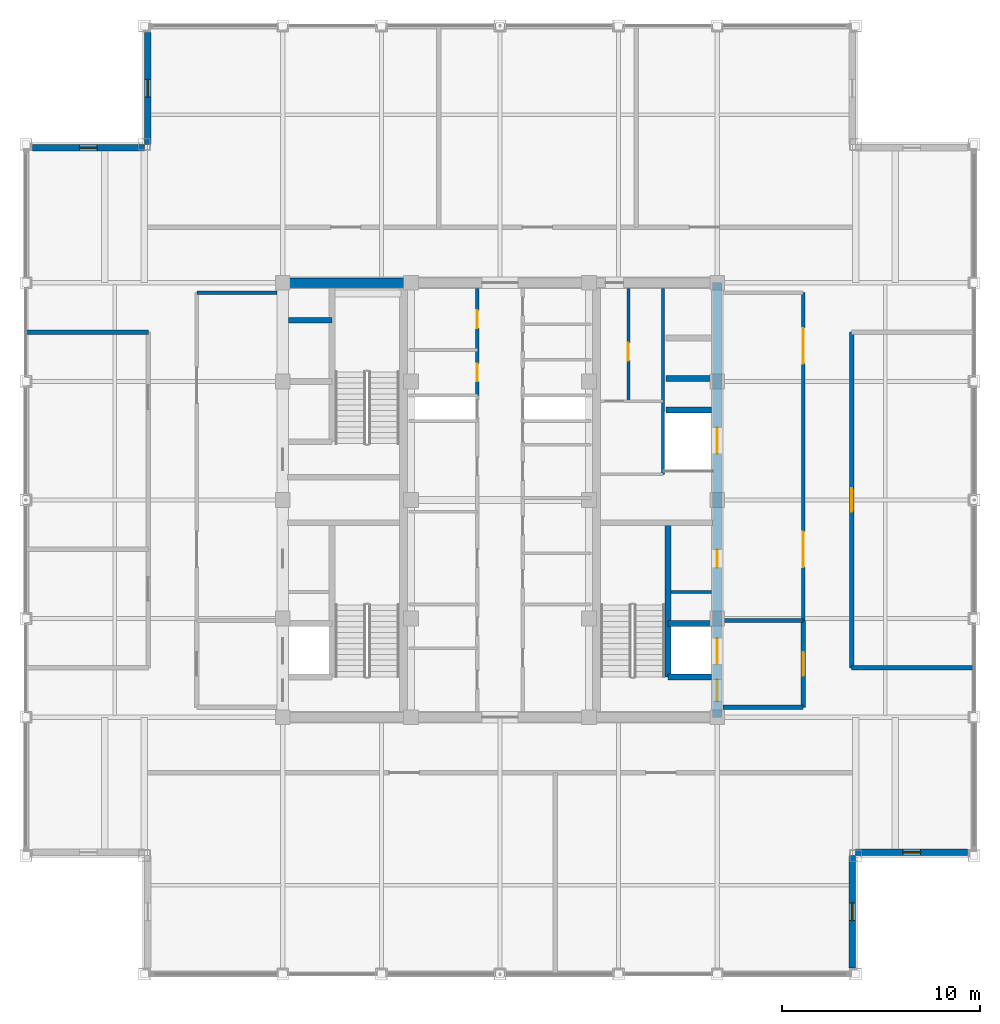
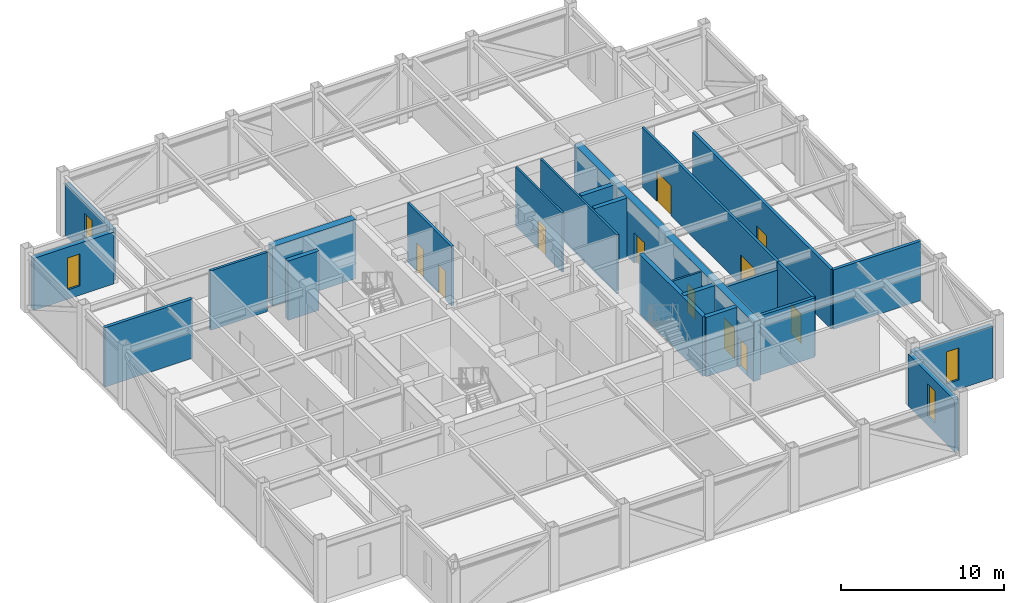
# One storey, part 25 of 27: 24 walls, 11 doors, 4 windows, 15 openings.
"""IFC4 building model written with IfcOpenShell, lengths in metres."""

from ifc_helpers import new_model, si_unit, direction, frame, frame_2d, origin, place, context, subcontext, project, spatial, rectangle, extrude, source, transform, mapped, material, layer, layer_set, type_object, element, fill, save


model = new_model("IFC4")

# Units and contexts
model_context = context("Model", 3, precision=1e-05, world=origin(), true_north=direction((0.0, 1.0)))
body_context = subcontext(model_context, "Body", "Model", "MODEL_VIEW")
ifc_project = project(units=[si_unit("LENGTHUNIT", "METRE"), si_unit("AREAUNIT", "SQUARE_METRE"), si_unit("VOLUMEUNIT", "CUBIC_METRE"), si_unit("PLANEANGLEUNIT", "RADIAN"), si_unit("MASSUNIT", "GRAM", prefix="KILO")], contexts=[model_context])

# Site, building, storey
site_placement = place(None, origin())
site = spatial("IfcSite", under=ifc_project, at=site_placement, CompositionType="ELEMENT")
building_placement = place(site_placement, origin())
building = spatial("IfcBuilding", under=site, at=building_placement, Name="Khorayat Bourse Tower", CompositionType="ELEMENT")
storey_placement = place(building_placement, frame((0.0, 0.0, 389.89990234375)))
storey = spatial("IfcBuildingStorey", under=building, at=storey_placement, Name="L92", CompositionType="ELEMENT", Elevation=389.89990234375)

# Wall, openings, doors
ifc_material_1 = material(Name="Concrete C52/65", Category="concrete")
ifc_layer_1 = layer(ifc_material_1, 0.5)
ifc_layer_set_1 = layer_set([ifc_layer_1], Name="Concrete C52/65")
wall_type_1 = type_object("IfcWallType", Name="WAL-CORE-500", PredefinedType="SHEAR", material=ifc_layer_set_1)
shared_shape_1 = source(origin(), body_context, "Body", "SweptSolid", [
    extrude(rectangle(XDim=22.0, YDim=0.5, at=frame_2d((11.0, 0.0))), origin(), (0.0, 0.0, 1.0), 4.4501953125),
])
wall_1_placement = place(storey_placement, frame((11.0, -11.0, 0.0), z_axis=(0.0, 0.0, 1.0), x_axis=(0.0, 1.0, 0.0)))
wall_1 = element("IfcWall", 1, at=wall_1_placement, inside=storey, type_object=wall_type_1, Name="L92 Core Shear Wall CORE-E", PredefinedType="SHEAR", context=body_context, shape_type="MappedRepresentation", body=[
    mapped(shared_shape_1, transform((0.0, 0.0, 0.0), scale=1.0)),
])
shared_shape_2 = source(origin(), body_context, "Body", "SweptSolid", [
    extrude(rectangle(XDim=1.10009765625, YDim=2.199951171875, at=frame_2d((0.550048828125, 1.10009765625))), frame((0.0, 0.260009765625, 0.0), z_axis=(0.0, -1.0, 0.0), x_axis=(1.0, 0.0, 0.0)), (0.0, 0.0, 1.0), 0.52001953125),
])
opening_1_placement = place(wall_1_placement, frame((0.800048828125, 0.0, 0.0)))
opening_1 = element("IfcOpeningElement", 2, at=opening_1_placement, cuts=wall_1, Name="Opening DI-01", PredefinedType="OPENING", context=body_context, shape_type="MappedRepresentation", body=[
    mapped(shared_shape_2, transform((0.0, 0.0, 0.0), scale=1.0)),
])
shared_shape_3 = source(origin(), body_context, "Body", "SweptSolid", [
    extrude(rectangle(XDim=0.89990234375, YDim=2.14990234375, at=frame_2d((0.449951171875, 1.074951171875))), frame((0.0, 0.260009765625, 0.0), z_axis=(0.0, -1.0, 0.0), x_axis=(1.0, 0.0, 0.0)), (0.0, 0.0, 1.0), 0.52001953125),
])
opening_2_placement = place(wall_1_placement, frame((7.574951171875, 0.0, 0.0)))
opening_2 = element("IfcOpeningElement", 3, at=opening_2_placement, cuts=wall_1, Name="Opening DI-06", PredefinedType="OPENING", context=body_context, shape_type="MappedRepresentation", body=[
    mapped(shared_shape_3, transform((0.0, 0.0, 0.0), scale=1.0)),
])
shared_shape_4 = source(origin(), body_context, "Body", "SweptSolid", [
    extrude(rectangle(XDim=1.300048828125, YDim=2.300048828125, at=frame_2d((0.64990234375, 1.14990234375))), frame((0.0, 0.260009765625, 0.0), z_axis=(0.0, -1.0, 0.0), x_axis=(1.0, 0.0, 0.0)), (0.0, 0.0, 1.0), 0.52001953125),
])
opening_3_placement = place(wall_1_placement, frame((2.699951171875, 0.0, 0.0)))
opening_3 = element("IfcOpeningElement", 4, at=opening_3_placement, cuts=wall_1, Name="Opening LD-02", PredefinedType="OPENING", context=body_context, shape_type="MappedRepresentation", body=[
    mapped(shared_shape_4, transform((0.0, 0.0, 0.0), scale=1.0)),
])
opening_4_placement = place(wall_1_placement, frame((13.35009765625, 0.0, 0.0)))
opening_4 = element("IfcOpeningElement", 5, at=opening_4_placement, cuts=wall_1, Name="Opening LD-02", PredefinedType="OPENING", context=body_context, shape_type="MappedRepresentation", body=[
    mapped(shared_shape_4, transform((0.0, 0.0, 0.0), scale=1.0)),
])
ifc_material_2 = material(Name="Fire-rated steel acoustic leaf", Category="steel")
door_type_1 = type_object("IfcDoorType", Name="DR-INT-STAIR-1100", OperationType="NOTDEFINED", PredefinedType="DOOR", material=ifc_material_2)
shared_shape_5 = source(origin(), body_context, "Body", "SweptSolid", [
    extrude(rectangle(XDim=1.10009765625, YDim=2.199951171875, at=frame_2d((0.550048828125, 1.10009765625))), frame((0.0, 0.02490234375, 0.0), z_axis=(0.0, -1.0, 0.0), x_axis=(1.0, 0.0, 0.0)), (0.0, 0.0, 1.0), 0.050048828125),
])
door_1_placement = place(opening_1_placement, origin())
door_1 = element("IfcDoor", 6, at=door_1_placement, inside=storey, type_object=door_type_1, Name="L92 Exit Stair 3 Door", OperationType="SINGLE_SWING_LEFT", OverallHeight=2.199951171875, OverallWidth=1.10009765625, PredefinedType="DOOR", context=body_context, shape_type="MappedRepresentation", body=[
    mapped(shared_shape_5, transform((0.0, 0.0, 0.0), scale=1.0)),
])
fill(opening_1, door_1)
ifc_material_3 = material(Name="Moisture-resistant laminate washroom door")
door_type_2 = type_object("IfcDoorType", Name="DR-INT-WC-900", OperationType="NOTDEFINED", PredefinedType="DOOR", material=ifc_material_3)
shared_shape_6 = source(origin(), body_context, "Body", "SweptSolid", [
    extrude(rectangle(XDim=0.89990234375, YDim=2.14990234375, at=frame_2d((0.449951171875, 1.074951171875))), frame((0.0, 0.02490234375, 0.0), z_axis=(0.0, -1.0, 0.0), x_axis=(1.0, 0.0, 0.0)), (0.0, 0.0, 1.0), 0.050048828125),
])
door_2_placement = place(opening_2_placement, origin())
door_2 = element("IfcDoor", 7, at=door_2_placement, inside=storey, type_object=door_type_2, Name="L92 Fiber Server Plant Room Door", OperationType="SINGLE_SWING_LEFT", OverallHeight=2.14990234375, OverallWidth=0.89990234375, PredefinedType="DOOR", context=body_context, shape_type="MappedRepresentation", body=[
    mapped(shared_shape_6, transform((0.0, 0.0, 0.0), scale=1.0)),
])
fill(opening_2, door_2)
ifc_material_4 = material(Name="Fire-rated stainless-steel sliding landing door", Category="steel")
door_type_3 = type_object("IfcDoorType", Name="DR-LIFT-FF-1300", OperationType="NOTDEFINED", PredefinedType="DOOR", material=ifc_material_4)
shared_shape_7 = source(origin(), body_context, "Body", "SweptSolid", [
    extrude(rectangle(XDim=1.300048828125, YDim=2.300048828125, at=frame_2d((0.64990234375, 1.14990234375))), frame((0.0, 0.02490234375, 0.0), z_axis=(0.0, -1.0, 0.0), x_axis=(1.0, 0.0, 0.0)), (0.0, 0.0, 1.0), 0.050048828125),
])
door_3_placement = place(opening_3_placement, origin())
door_3 = element("IfcDoor", 8, at=door_3_placement, inside=storey, type_object=door_type_3, Name="L92 Lift FFL-02 Sliding Landing Door", OperationType="SLIDING_TO_LEFT", OverallHeight=2.300048828125, OverallWidth=1.300048828125, PredefinedType="DOOR", context=body_context, shape_type="MappedRepresentation", body=[
    mapped(shared_shape_7, transform((0.0, 0.0, 0.0), scale=1.0)),
])
fill(opening_3, door_3)
door_4_placement = place(opening_4_placement, origin())
door_4 = element("IfcDoor", 9, at=door_4_placement, inside=storey, type_object=door_type_3, Name="L92 Lift SVL-01 Sliding Landing Door", OperationType="SLIDING_TO_LEFT", OverallHeight=2.300048828125, OverallWidth=1.300048828125, PredefinedType="DOOR", context=body_context, shape_type="MappedRepresentation", body=[
    mapped(shared_shape_7, transform((0.0, 0.0, 0.0), scale=1.0)),
])
fill(opening_4, door_4)

# Wall
shared_shape_8 = source(origin(), body_context, "Body", "SweptSolid", [
    extrude(rectangle(XDim=5.89990234375, YDim=0.5, at=frame_2d((2.949951171875, 0.0))), origin(), (0.0, 0.0, 1.0), 4.4501953125),
])
wall_2_placement = place(storey_placement, frame((-10.75, 11.0, 0.0), z_axis=(0.0, 0.0, 1.0), x_axis=(1.0, 0.0, 0.0)))
element("IfcWall", 10, at=wall_2_placement, inside=storey, type_object=wall_type_1, Name="L92 Core Shear Wall PIER-WN", PredefinedType="SHEAR", context=body_context, shape_type="MappedRepresentation", body=[
    mapped(shared_shape_8, transform((0.0, 0.0, 0.0), scale=1.0)),
])

# Wall, opening, window
ifc_material_5 = material(Name="Precast concrete C45/55", Category="concrete")
ifc_layer_2 = layer(ifc_material_5, 0.320068359375)
ifc_layer_set_2 = layer_set([ifc_layer_2], Name="Precast concrete C45/55")
wall_type_2 = type_object("IfcWallType", Name="WAL-EXT-STONE-320", PredefinedType="STANDARD", material=ifc_layer_set_2)
shared_shape_9 = source(origin(), body_context, "Body", "SweptSolid", [
    extrude(rectangle(XDim=5.679931640625, YDim=0.320068359375, at=frame_2d((2.83984375, 0.0))), origin(), (0.0, 0.0, 1.0), 3.901123046875),
])
wall_3_placement = place(storey_placement, frame((17.840087890625, -23.679931640625, 0.0), z_axis=(0.0, 0.0, 1.0), x_axis=(0.0, 1.0, 0.0)))
wall_3 = element("IfcWall", 11, at=wall_3_placement, inside=storey, type_object=wall_type_2, Name="L92 Re-Entrant Notch Limestone Wall SE-V", PredefinedType="STANDARD", context=body_context, shape_type="MappedRepresentation", body=[
    mapped(shared_shape_9, transform((0.0, 0.0, 0.0), scale=1.0)),
])
shared_shape_10 = source(origin(), body_context, "Body", "SweptSolid", [
    extrude(rectangle(XDim=0.89990234375, YDim=2.39990234375, at=frame_2d((0.449951171875, 1.199951171875))), frame((0.0, 0.169921875, 0.0), z_axis=(0.0, -1.0, 0.0), x_axis=(1.0, 0.0, 0.0)), (0.0, 0.0, 1.0), 0.340087890625),
])
opening_5_placement = place(wall_3_placement, frame((2.389892578125, 0.0, 0.699951171875)))
opening_5 = element("IfcOpeningElement", 12, at=opening_5_placement, cuts=wall_3, Name="Opening WN-03", PredefinedType="OPENING", context=body_context, shape_type="MappedRepresentation", body=[
    mapped(shared_shape_10, transform((0.0, 0.0, 0.0), scale=1.0)),
])
ifc_material_6 = material(Name="Deep-reveal solar-control double glazing", Category="glass")
window_type = type_object("IfcWindowType", Name="WIN-SLOT-900x2400", PartitioningType="SINGLE_PANEL", PredefinedType="WINDOW", material=ifc_material_6)
shared_shape_11 = source(origin(), body_context, "Body", "SweptSolid", [
    extrude(rectangle(XDim=0.89990234375, YDim=2.39990234375, at=frame_2d((0.449951171875, 1.199951171875))), frame((0.0, 0.030029296875, 0.0), z_axis=(0.0, -1.0, 0.0), x_axis=(1.0, 0.0, 0.0)), (0.0, 0.0, 1.0), 0.06005859375),
])
window_1_placement = place(opening_5_placement, origin())
window_1 = element("IfcWindow", 13, at=window_1_placement, inside=storey, type_object=window_type, Name="L92 Facade Window 1", OverallHeight=2.39990234375, OverallWidth=0.89990234375, PartitioningType="SINGLE_PANEL", PredefinedType="WINDOW", context=body_context, shape_type="MappedRepresentation", body=[
    mapped(shared_shape_11, transform((0.0, 0.0, 0.0), scale=1.0)),
])
fill(opening_5, window_1)

wall_4_placement = place(storey_placement, frame((18.0, -17.840087890625, 0.0), z_axis=(0.0, 0.0, 1.0), x_axis=(1.0, 0.0, 0.0)))
wall_4 = element("IfcWall", 14, at=wall_4_placement, inside=storey, type_object=wall_type_2, Name="L92 Re-Entrant Notch Limestone Wall SE-H", PredefinedType="STANDARD", context=body_context, shape_type="MappedRepresentation", body=[
    mapped(shared_shape_9, transform((0.0, 0.0, 0.0), scale=1.0)),
])
opening_6_placement = place(wall_4_placement, frame((2.389892578125, 0.0, 0.699951171875)))
opening_6 = element("IfcOpeningElement", 15, at=opening_6_placement, cuts=wall_4, Name="Opening WN-03", PredefinedType="OPENING", context=body_context, shape_type="MappedRepresentation", body=[
    mapped(shared_shape_10, transform((0.0, 0.0, 0.0), scale=1.0)),
])
window_2_placement = place(opening_6_placement, origin())
window_2 = element("IfcWindow", 16, at=window_2_placement, inside=storey, type_object=window_type, Name="L92 Facade Window 1", OverallHeight=2.39990234375, OverallWidth=0.89990234375, PartitioningType="SINGLE_PANEL", PredefinedType="WINDOW", context=body_context, shape_type="MappedRepresentation", body=[
    mapped(shared_shape_11, transform((0.0, 0.0, 0.0), scale=1.0)),
])
fill(opening_6, window_2)

wall_5_placement = place(storey_placement, frame((-17.840087890625, 18.0, 0.0), z_axis=(0.0, 0.0, 1.0), x_axis=(0.0, 1.0, 0.0)))
wall_5 = element("IfcWall", 17, at=wall_5_placement, inside=storey, type_object=wall_type_2, Name="L92 Re-Entrant Notch Limestone Wall NW-V", PredefinedType="STANDARD", context=body_context, shape_type="MappedRepresentation", body=[
    mapped(shared_shape_9, transform((0.0, 0.0, 0.0), scale=1.0)),
])
opening_7_placement = place(wall_5_placement, frame((2.389892578125, 0.0, 0.699951171875)))
opening_7 = element("IfcOpeningElement", 18, at=opening_7_placement, cuts=wall_5, Name="Opening WN-03", PredefinedType="OPENING", context=body_context, shape_type="MappedRepresentation", body=[
    mapped(shared_shape_10, transform((0.0, 0.0, 0.0), scale=1.0)),
])
window_3_placement = place(opening_7_placement, origin())
window_3 = element("IfcWindow", 19, at=window_3_placement, inside=storey, type_object=window_type, Name="L92 Facade Window 1", OverallHeight=2.39990234375, OverallWidth=0.89990234375, PartitioningType="SINGLE_PANEL", PredefinedType="WINDOW", context=body_context, shape_type="MappedRepresentation", body=[
    mapped(shared_shape_11, transform((0.0, 0.0, 0.0), scale=1.0)),
])
fill(opening_7, window_3)

wall_6_placement = place(storey_placement, frame((-18.0, 17.840087890625, 0.0), z_axis=(0.0, 0.0, 1.0), x_axis=(-1.0, 0.0, 0.0)))
wall_6 = element("IfcWall", 20, at=wall_6_placement, inside=storey, type_object=wall_type_2, Name="L92 Re-Entrant Notch Limestone Wall NW-H", PredefinedType="STANDARD", context=body_context, shape_type="MappedRepresentation", body=[
    mapped(shared_shape_9, transform((0.0, 0.0, 0.0), scale=1.0)),
])
opening_8_placement = place(wall_6_placement, frame((2.389892578125, 0.0, 0.699951171875)))
opening_8 = element("IfcOpeningElement", 21, at=opening_8_placement, cuts=wall_6, Name="Opening WN-03", PredefinedType="OPENING", context=body_context, shape_type="MappedRepresentation", body=[
    mapped(shared_shape_10, transform((0.0, 0.0, 0.0), scale=1.0)),
])
window_4_placement = place(opening_8_placement, origin())
window_4 = element("IfcWindow", 22, at=window_4_placement, inside=storey, type_object=window_type, Name="L92 Facade Window 1", OverallHeight=2.39990234375, OverallWidth=0.89990234375, PartitioningType="SINGLE_PANEL", PredefinedType="WINDOW", context=body_context, shape_type="MappedRepresentation", body=[
    mapped(shared_shape_11, transform((0.0, 0.0, 0.0), scale=1.0)),
])
fill(opening_8, window_4)

# Walls
ifc_material_7 = material(Name="Concrete C50/60", Category="concrete")
ifc_layer_3 = layer(ifc_material_7, 0.300048828125)
ifc_layer_set_3 = layer_set([ifc_layer_3], Name="Concrete C50/60")
wall_type_3 = type_object("IfcWallType", Name="WAL-SHAFT-300", PredefinedType="SHEAR", material=ifc_layer_set_3)
shared_shape_12 = source(origin(), body_context, "Body", "SweptSolid", [
    extrude(rectangle(XDim=7.800048828125, YDim=0.300048828125, at=frame_2d((3.89990234375, 0.0))), origin(), (0.0, 0.0, 1.0), 4.4501953125),
])
wall_7_placement = place(storey_placement, frame((8.5, -8.949951171875, 0.0), z_axis=(0.0, 0.0, 1.0), x_axis=(0.0, 1.0, 0.0)))
element("IfcWall", 23, at=wall_7_placement, inside=storey, type_object=wall_type_3, Name="L92 Partition WAL-L92-EPIER-SP", PredefinedType="SHEAR", context=body_context, shape_type="MappedRepresentation", body=[
    mapped(shared_shape_12, transform((0.0, 0.0, 0.0), scale=1.0)),
])
shared_shape_13 = source(origin(), body_context, "Body", "SweptSolid", [
    extrude(rectangle(XDim=2.199951171875, YDim=0.300048828125, at=frame_2d((1.10009765625, 0.0))), origin(), (0.0, 0.0, 1.0), 4.4501953125),
])
for number, where, z_axis, x_axis, name in (
    (24, (-10.699951171875, 9.10009765625, 0.0), (0.0, 0.0, 1.0), (1.0, 0.0, 0.0), "L92 Partition WAL-L92-WPIER-H2N"),
    (25, (8.5, -8.949951171875, 0.0), (0.0, 0.0, 1.0), (1.0, 0.0, 0.0), "L92 Partition WAL-L92-EPIER-FF2S"),
    (26, (8.5, -6.25, 0.0), (0.0, 0.0, 1.0), (1.0, 0.0, 0.0), "L92 Partition WAL-L92-EPIER-FF2N"),
):
    element("IfcWall", number, at=place(storey_placement, frame(where, z_axis=z_axis, x_axis=x_axis)), inside=storey, type_object=wall_type_3, Name=name, PredefinedType="SHEAR", context=body_context, shape_type="MappedRepresentation", body=[
        mapped(shared_shape_13, transform((0.0, 0.0, 0.0), scale=1.0)),
    ])
shared_shape_14 = source(origin(), body_context, "Body", "SweptSolid", [
    extrude(rectangle(XDim=2.300048828125, YDim=0.300048828125, at=frame_2d((1.14990234375, 0.0))), origin(), (0.0, 0.0, 1.0), 4.4501953125),
])
for number, where, z_axis, x_axis, name in (
    (27, (8.39990234375, 4.550048828125, 0.0), (0.0, 0.0, 1.0), (1.0, 0.0, 0.0), "L92 Partition WAL-L92-EPIER-SVLN"),
    (28, (8.39990234375, 6.14990234375, 0.0), (0.0, 0.0, 1.0), (1.0, 0.0, 0.0), "L92 Partition WAL-L92-EPIER-H3S"),
):
    element("IfcWall", number, at=place(storey_placement, frame(where, z_axis=z_axis, x_axis=x_axis)), inside=storey, type_object=wall_type_3, Name=name, PredefinedType="SHEAR", context=body_context, shape_type="MappedRepresentation", body=[
        mapped(shared_shape_14, transform((0.0, 0.0, 0.0), scale=1.0)),
    ])
ifc_material_8 = material(Name="Gypsum plasterboard twin-frame partition")
ifc_layer_4 = layer(ifc_material_8, 0.14990234375)
ifc_layer_set_4 = layer_set([ifc_layer_4], Name="Gypsum plasterboard twin-frame partition")
wall_type_4 = type_object("IfcWallType", Name="WAL-PART-SUITE-150", PredefinedType="PARTITIONING", material=ifc_layer_set_4)
shared_shape_15 = source(origin(), body_context, "Body", "SweptSolid", [
    extrude(rectangle(XDim=2.050048828125, YDim=0.14990234375, at=frame_2d((1.02490234375, 0.0))), origin(), (0.0, 0.0, 1.0), 4.4501953125),
])
wall_8_placement = place(storey_placement, frame((8.64990234375, -4.64990234375, 0.0), z_axis=(0.0, 0.0, 1.0), x_axis=(1.0, 0.0, 0.0)))
element("IfcWall", 29, at=wall_8_placement, inside=storey, type_object=wall_type_4, Name="L92 Partition WAL-L92-ESRV-S0", PredefinedType="PARTITIONING", context=body_context, shape_type="MappedRepresentation", body=[
    mapped(shared_shape_15, transform((0.0, 0.0, 0.0), scale=1.0)),
])
ifc_material_9 = material(Name="Moisture-resistant masonry partition", Category="masonry")
ifc_layer_5 = layer(ifc_material_9, 0.139892578125)
ifc_layer_set_5 = layer_set([ifc_layer_5], Name="Moisture-resistant masonry partition")
wall_type_5 = type_object("IfcWallType", Name="WAL-PART-WET-140", PredefinedType="PARTITIONING", material=ifc_layer_set_5)
shared_shape_16 = source(origin(), body_context, "Body", "SweptSolid", [
    extrude(rectangle(XDim=9.39990234375, YDim=0.139892578125, at=frame_2d((4.699951171875, 0.0))), origin(), (0.0, 0.0, 1.0), 4.4501953125),
])
wall_9_placement = place(storey_placement, frame((8.25, 1.300048828125, 0.0), z_axis=(0.0, 0.0, 1.0), x_axis=(0.0, 1.0, 0.0)))
element("IfcWall", 30, at=wall_9_placement, inside=storey, type_object=wall_type_5, Name="L92 Partition WAL-L92-ECORE-E", PredefinedType="PARTITIONING", context=body_context, shape_type="MappedRepresentation", body=[
    mapped(shared_shape_16, transform((0.0, 0.0, 0.0), scale=1.0)),
])

# Wall, opening, door
shared_shape_17 = source(origin(), body_context, "Body", "SweptSolid", [
    extrude(rectangle(XDim=5.699951171875, YDim=0.139892578125, at=frame_2d((2.85009765625, 0.0))), origin(), (0.0, 0.0, 1.0), 4.4501953125),
])
wall_10_placement = place(storey_placement, frame((6.5, 5.0, 0.0), z_axis=(0.0, 0.0, 1.0), x_axis=(0.0, 1.0, 0.0)))
wall_10 = element("IfcWall", 31, at=wall_10_placement, inside=storey, type_object=wall_type_5, Name="L92 Partition WAL-L92-ECW-MID", PredefinedType="PARTITIONING", context=body_context, shape_type="MappedRepresentation", body=[
    mapped(shared_shape_17, transform((0.0, 0.0, 0.0), scale=1.0)),
])
shared_shape_18 = source(origin(), body_context, "Body", "SweptSolid", [
    extrude(rectangle(XDim=0.89990234375, YDim=2.14990234375, at=frame_2d((0.449951171875, 1.074951171875))), frame((0.0, 0.079833984375, 0.0), z_axis=(0.0, -1.0, 0.0), x_axis=(1.0, 0.0, 0.0)), (0.0, 0.0, 1.0), 0.159912109375),
])
opening_9_placement = place(wall_10_placement, frame((2.050048828125, 0.0, 0.0)))
opening_9 = element("IfcOpeningElement", 32, at=opening_9_placement, cuts=wall_10, Name="Opening DI-06", PredefinedType="OPENING", context=body_context, shape_type="MappedRepresentation", body=[
    mapped(shared_shape_18, transform((0.0, 0.0, 0.0), scale=1.0)),
])
door_5_placement = place(opening_9_placement, origin())
door_5 = element("IfcDoor", 33, at=door_5_placement, inside=storey, type_object=door_type_2, Name="L92 Accessible WC Door", OperationType="SINGLE_SWING_RIGHT", OverallHeight=2.14990234375, OverallWidth=0.89990234375, PredefinedType="DOOR", context=body_context, shape_type="MappedRepresentation", body=[
    mapped(shared_shape_6, transform((0.0, 0.0, 0.0), scale=1.0)),
])
fill(opening_9, door_5)

# Walls
ifc_material_10 = material(Name="Aerated concrete blockwork", Category="masonry")
ifc_layer_6 = layer(ifc_material_10, 0.219970703125)
ifc_layer_set_6 = layer_set([ifc_layer_6], Name="Aerated concrete blockwork")
wall_type_6 = type_object("IfcWallType", Name="WAL-PART-FF-220", PredefinedType="PARTITIONING", material=ifc_layer_set_6)
shared_shape_19 = source(origin(), body_context, "Body", "SweptSolid", [
    extrude(rectangle(XDim=4.050048828125, YDim=0.219970703125, at=frame_2d((2.02490234375, 0.0))), origin(), (0.0, 0.0, 1.0), 4.4501953125),
])
wall_11_placement = place(storey_placement, frame((11.300048828125, -10.5, 0.0), z_axis=(0.0, 0.0, 1.0), x_axis=(1.0, 0.0, 0.0)))
element("IfcWall", 34, at=wall_11_placement, inside=storey, type_object=wall_type_6, Name="L92 Partition WAL-L92-FFLE-S", PredefinedType="PARTITIONING", context=body_context, shape_type="MappedRepresentation", body=[
    mapped(shared_shape_19, transform((0.0, 0.0, 0.0), scale=1.0)),
])
shared_shape_20 = source(origin(), body_context, "Body", "SweptSolid", [
    extrude(rectangle(XDim=4.050048828125, YDim=0.219970703125, at=frame_2d((2.02490234375, 0.0))), origin(), (0.0, 0.0, 1.0), 3.901123046875),
])
wall_12_placement = place(storey_placement, frame((11.300048828125, -6.10009765625, 0.0), z_axis=(0.0, 0.0, 1.0), x_axis=(1.0, 0.0, 0.0)))
element("IfcWall", 35, at=wall_12_placement, inside=storey, type_object=wall_type_6, Name="L92 Partition WAL-L92-FFLE-N", PredefinedType="PARTITIONING", context=body_context, shape_type="MappedRepresentation", body=[
    mapped(shared_shape_20, transform((0.0, 0.0, 0.0), scale=1.0)),
])

# Wall, opening, door
shared_shape_21 = source(origin(), body_context, "Body", "SweptSolid", [
    extrude(rectangle(XDim=4.39990234375, YDim=0.219970703125, at=frame_2d((2.199951171875, 0.0))), origin(), (0.0, 0.0, 1.0), 4.4501953125),
])
wall_13_placement = place(storey_placement, frame((15.35009765625, -10.5, 0.0), z_axis=(0.0, 0.0, 1.0), x_axis=(0.0, 1.0, 0.0)))
wall_13 = element("IfcWall", 36, at=wall_13_placement, inside=storey, type_object=wall_type_6, Name="L92 Partition WAL-L92-FFLE-E", PredefinedType="PARTITIONING", context=body_context, shape_type="MappedRepresentation", body=[
    mapped(shared_shape_21, transform((0.0, 0.0, 0.0), scale=1.0)),
])
shared_shape_22 = source(origin(), body_context, "Body", "SweptSolid", [
    extrude(rectangle(XDim=1.199951171875, YDim=2.199951171875, at=frame_2d((0.60009765625, 1.10009765625))), frame((0.0, 0.119873046875, 0.0), z_axis=(0.0, -1.0, 0.0), x_axis=(1.0, 0.0, 0.0)), (0.0, 0.0, 1.0), 0.239990234375),
])
opening_10_placement = place(wall_13_placement, frame((1.60009765625, 0.0, 0.0)))
opening_10 = element("IfcOpeningElement", 37, at=opening_10_placement, cuts=wall_13, Name="Opening DI-02", PredefinedType="OPENING", context=body_context, shape_type="MappedRepresentation", body=[
    mapped(shared_shape_22, transform((0.0, 0.0, 0.0), scale=1.0)),
])
ifc_material_11 = material(Name="Fire-rated steel double-seal leaf", Category="steel")
door_type_4 = type_object("IfcDoorType", Name="DR-INT-FFLOBBY-1200", OperationType="NOTDEFINED", PredefinedType="DOOR", material=ifc_material_11)
shared_shape_23 = source(origin(), body_context, "Body", "SweptSolid", [
    extrude(rectangle(XDim=1.199951171875, YDim=2.199951171875, at=frame_2d((0.60009765625, 1.10009765625))), frame((0.0, 0.02490234375, 0.0), z_axis=(0.0, -1.0, 0.0), x_axis=(1.0, 0.0, 0.0)), (0.0, 0.0, 1.0), 0.050048828125),
])
door_6_placement = place(opening_10_placement, origin())
door_6 = element("IfcDoor", 38, at=door_6_placement, inside=storey, type_object=door_type_4, Name="L92 East Firefighting Lobby Door", OperationType="SINGLE_SWING_RIGHT", OverallHeight=2.199951171875, OverallWidth=1.199951171875, PredefinedType="DOOR", context=body_context, shape_type="MappedRepresentation", body=[
    mapped(shared_shape_23, transform((0.0, 0.0, 0.0), scale=1.0)),
])
fill(opening_10, door_6)

# Wall
ifc_material_12 = material(Name="Gypsum plasterboard acoustic stud wall")
ifc_layer_7 = layer(ifc_material_12, 0.179931640625)
ifc_layer_set_7 = layer_set([ifc_layer_7], Name="Gypsum plasterboard acoustic stud wall")
wall_type_7 = type_object("IfcWallType", Name="WAL-PART-CORR-180", PredefinedType="PARTITIONING", material=ifc_layer_set_7)
shared_shape_24 = source(origin(), body_context, "Body", "SweptSolid", [
    extrude(rectangle(XDim=4.050048828125, YDim=0.179931640625, at=frame_2d((2.02490234375, 0.0))), origin(), (0.0, 0.0, 1.0), 4.4501953125),
])
wall_14_placement = place(storey_placement, frame((-15.35009765625, 10.5, 0.0), z_axis=(0.0, 0.0, 1.0), x_axis=(1.0, 0.0, 0.0)))
element("IfcWall", 39, at=wall_14_placement, inside=storey, type_object=wall_type_7, Name="L92 Partition WAL-L92-WLOB-N", PredefinedType="PARTITIONING", context=body_context, shape_type="MappedRepresentation", body=[
    mapped(shared_shape_24, transform((0.0, 0.0, 0.0), scale=1.0)),
])

# Wall, openings, doors
shared_shape_25 = source(origin(), body_context, "Body", "SweptSolid", [
    extrude(rectangle(XDim=16.60009765625, YDim=0.179931640625, at=frame_2d((8.300048828125, 0.0))), origin(), (0.0, 0.0, 1.0), 4.4501953125),
])
wall_15_placement = place(storey_placement, frame((15.35009765625, -6.10009765625, 0.0), z_axis=(0.0, 0.0, 1.0), x_axis=(0.0, 1.0, 0.0)))
wall_15 = element("IfcWall", 40, at=wall_15_placement, inside=storey, type_object=wall_type_7, Name="L92 Partition WAL-L92-ELOB-E", PredefinedType="PARTITIONING", context=body_context, shape_type="MappedRepresentation", body=[
    mapped(shared_shape_25, transform((0.0, 0.0, 0.0), scale=1.0)),
])
shared_shape_26 = source(origin(), body_context, "Body", "SweptSolid", [
    extrude(rectangle(XDim=1.800048828125, YDim=2.25, at=frame_2d((0.89990234375, 1.125))), frame((0.0, 0.099853515625, 0.0), z_axis=(0.0, -1.0, 0.0), x_axis=(1.0, 0.0, 0.0)), (0.0, 0.0, 1.0), 0.199951171875),
])
opening_11_placement = place(wall_15_placement, frame((2.699951171875, 0.0, 0.0)))
opening_11 = element("IfcOpeningElement", 41, at=opening_11_placement, cuts=wall_15, Name="Opening DI-03", PredefinedType="OPENING", context=body_context, shape_type="MappedRepresentation", body=[
    mapped(shared_shape_26, transform((0.0, 0.0, 0.0), scale=1.0)),
])
opening_12_placement = place(wall_15_placement, frame((13.0, 0.0, 0.0)))
opening_12 = element("IfcOpeningElement", 42, at=opening_12_placement, cuts=wall_15, Name="Opening DI-03", PredefinedType="OPENING", context=body_context, shape_type="MappedRepresentation", body=[
    mapped(shared_shape_26, transform((0.0, 0.0, 0.0), scale=1.0)),
])
ifc_material_13 = material(Name="Fire-rated hardwood vision-panel double leaf", Category="wood")
door_type_5 = type_object("IfcDoorType", Name="DR-INT-CORR-1800", OperationType="NOTDEFINED", PredefinedType="DOOR", material=ifc_material_13)
shared_shape_27 = source(origin(), body_context, "Body", "SweptSolid", [
    extrude(rectangle(XDim=1.800048828125, YDim=2.25, at=frame_2d((0.89990234375, 1.125))), frame((0.0, 0.02490234375, 0.0), z_axis=(0.0, -1.0, 0.0), x_axis=(1.0, 0.0, 0.0)), (0.0, 0.0, 1.0), 0.050048828125),
])
door_7_placement = place(opening_11_placement, origin())
door_7 = element("IfcDoor", 43, at=door_7_placement, inside=storey, type_object=door_type_5, Name="L92 East Core Lobby South Door", OperationType="SINGLE_SWING_RIGHT", OverallHeight=2.25, OverallWidth=1.800048828125, PredefinedType="DOOR", context=body_context, shape_type="MappedRepresentation", body=[
    mapped(shared_shape_27, transform((0.0, 0.0, 0.0), scale=1.0)),
])
fill(opening_11, door_7)
door_8_placement = place(opening_12_placement, origin())
door_8 = element("IfcDoor", 44, at=door_8_placement, inside=storey, type_object=door_type_5, Name="L92 East Core Lobby North Door", OperationType="SINGLE_SWING_LEFT", OverallHeight=2.25, OverallWidth=1.800048828125, PredefinedType="DOOR", context=body_context, shape_type="MappedRepresentation", body=[
    mapped(shared_shape_27, transform((0.0, 0.0, 0.0), scale=1.0)),
])
fill(opening_12, door_8)

shared_shape_28 = source(origin(), body_context, "Body", "SweptSolid", [
    extrude(rectangle(XDim=5.39990234375, YDim=0.179931640625, at=frame_2d((2.699951171875, 0.0))), origin(), (0.0, 0.0, 1.0), 4.4501953125),
])
wall_16_placement = place(storey_placement, frame((-1.14990234375, 5.300048828125, 0.0), z_axis=(0.0, 0.0, 1.0), x_axis=(0.0, 1.0, 0.0)))
wall_16 = element("IfcWall", 45, at=wall_16_placement, inside=storey, type_object=wall_type_7, Name="L92 Partition WAL-L92-FB2W-L", PredefinedType="PARTITIONING", context=body_context, shape_type="MappedRepresentation", body=[
    mapped(shared_shape_28, transform((0.0, 0.0, 0.0), scale=1.0)),
])
shared_shape_29 = source(origin(), body_context, "Body", "SweptSolid", [
    extrude(rectangle(XDim=0.89990234375, YDim=2.14990234375, at=frame_2d((0.449951171875, 1.074951171875))), frame((0.0, 0.099853515625, 0.0), z_axis=(0.0, -1.0, 0.0), x_axis=(1.0, 0.0, 0.0)), (0.0, 0.0, 1.0), 0.199951171875),
])
opening_13_placement = place(wall_16_placement, frame((0.699951171875, 0.0, 0.0)))
opening_13 = element("IfcOpeningElement", 46, at=opening_13_placement, cuts=wall_16, Name="Opening DI-06", PredefinedType="OPENING", context=body_context, shape_type="MappedRepresentation", body=[
    mapped(shared_shape_29, transform((0.0, 0.0, 0.0), scale=1.0)),
])
opening_14_placement = place(wall_16_placement, frame((3.39990234375, 0.0, 0.0)))
opening_14 = element("IfcOpeningElement", 47, at=opening_14_placement, cuts=wall_16, Name="Opening DI-06", PredefinedType="OPENING", context=body_context, shape_type="MappedRepresentation", body=[
    mapped(shared_shape_29, transform((0.0, 0.0, 0.0), scale=1.0)),
])
door_9_placement = place(opening_13_placement, origin())
door_9 = element("IfcDoor", 48, at=door_9_placement, inside=storey, type_object=door_type_2, Name="L92 Board Archive Store Door", OperationType="SINGLE_SWING_RIGHT", OverallHeight=2.14990234375, OverallWidth=0.89990234375, PredefinedType="DOOR", context=body_context, shape_type="MappedRepresentation", body=[
    mapped(shared_shape_6, transform((0.0, 0.0, 0.0), scale=1.0)),
])
fill(opening_13, door_9)
door_10_placement = place(opening_14_placement, origin())
door_10 = element("IfcDoor", 49, at=door_10_placement, inside=storey, type_object=door_type_2, Name="L92 Smoke Control Plant Room Door", OperationType="SINGLE_SWING_LEFT", OverallHeight=2.14990234375, OverallWidth=0.89990234375, PredefinedType="DOOR", context=body_context, shape_type="MappedRepresentation", body=[
    mapped(shared_shape_6, transform((0.0, 0.0, 0.0), scale=1.0)),
])
fill(opening_14, door_10)

# Walls
shared_shape_30 = source(origin(), body_context, "Body", "SweptSolid", [
    extrude(rectangle(XDim=6.199951171875, YDim=0.219970703125, at=frame_2d((3.10009765625, 0.0))), origin(), (0.0, 0.0, 1.0), 4.4501953125),
])
for number, where, z_axis, x_axis, name in (
    (50, (-24.0, 8.5, 0.0), (0.0, 0.0, 1.0), (1.0, 0.0, 0.0), "L92 Partition WAL-L92-PLW-N"),
    (51, (17.800048828125, -8.5, 0.0), (0.0, 0.0, 1.0), (1.0, 0.0, 0.0), "L92 Partition WAL-L92-PLE-S"),
):
    element("IfcWall", number, at=place(storey_placement, frame(where, z_axis=z_axis, x_axis=x_axis)), inside=storey, type_object=wall_type_6, Name=name, PredefinedType="PARTITIONING", context=body_context, shape_type="MappedRepresentation", body=[
        mapped(shared_shape_30, transform((0.0, 0.0, 0.0), scale=1.0)),
    ])

# Wall, opening, door
shared_shape_31 = source(origin(), body_context, "Body", "SweptSolid", [
    extrude(rectangle(XDim=17.0, YDim=0.219970703125, at=frame_2d((8.5, 0.0))), origin(), (0.0, 0.0, 1.0), 4.4501953125),
])
wall_17_placement = place(storey_placement, frame((17.800048828125, -8.5, 0.0), z_axis=(0.0, 0.0, 1.0), x_axis=(0.0, 1.0, 0.0)))
wall_17 = element("IfcWall", 52, at=wall_17_placement, inside=storey, type_object=wall_type_6, Name="L92 Partition WAL-L92-PLE-W", PredefinedType="PARTITIONING", context=body_context, shape_type="MappedRepresentation", body=[
    mapped(shared_shape_31, transform((0.0, 0.0, 0.0), scale=1.0)),
])
opening_15_placement = place(wall_17_placement, frame((7.89990234375, 0.0, 0.0)))
opening_15 = element("IfcOpeningElement", 53, at=opening_15_placement, cuts=wall_17, Name="Opening DI-02", PredefinedType="OPENING", context=body_context, shape_type="MappedRepresentation", body=[
    mapped(shared_shape_22, transform((0.0, 0.0, 0.0), scale=1.0)),
])
door_11_placement = place(opening_15_placement, origin())
door_11 = element("IfcDoor", 54, at=door_11_placement, inside=storey, type_object=door_type_4, Name="L92 Lift Machine Plant Door", OperationType="SINGLE_SWING_RIGHT", OverallHeight=2.199951171875, OverallWidth=1.199951171875, PredefinedType="DOOR", context=body_context, shape_type="MappedRepresentation", body=[
    mapped(shared_shape_23, transform((0.0, 0.0, 0.0), scale=1.0)),
])
fill(opening_15, door_11)

save(model, "model.ifc")
